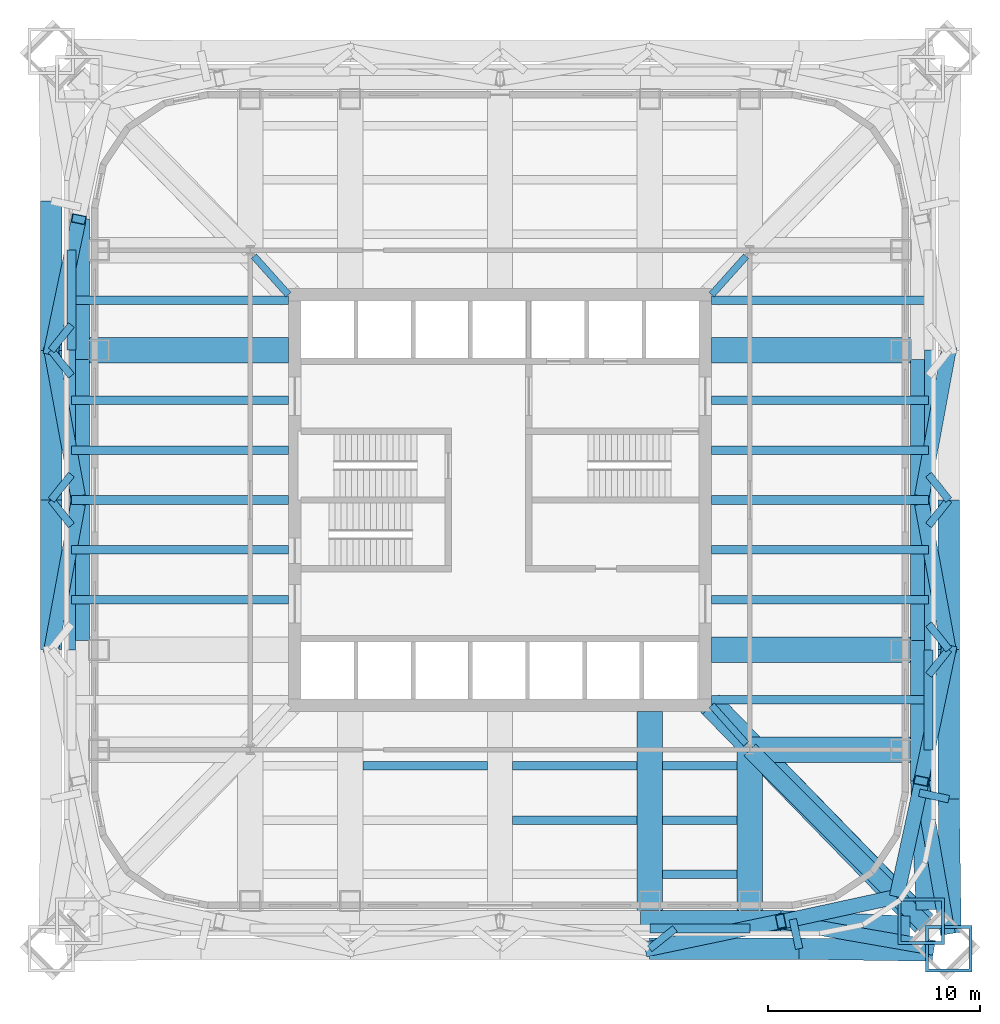
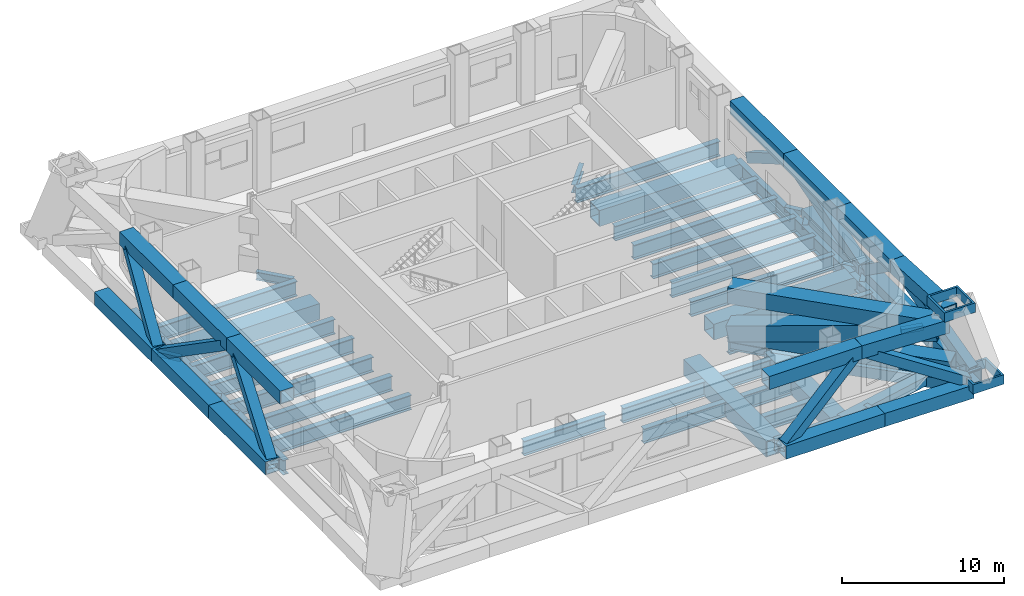
# One storey, part 2 of 9: 66 beams, 12 members.
"""IFC4 building model written with IfcOpenShell, lengths in metres."""

import ifcopenshell
import ifcopenshell.guid

model = None  # the IFC model being written
_history = None  # IfcOwnerHistory: only IFC2X3 demands one
_inside = {}  # id of a spatial element -> (the spatial element, [elements in it])
_under = {}  # id of a project, library or spatial element -> (it, [spatial elements below it])
_declared = {}  # id of a project -> (the project, [libraries it declares])
_typed = {}  # id of a type object -> (the type object, [elements of that type])
_made_of = {}  # id of a material, layer set ... -> (it, [elements and type objects made of it])


def new_model(schema):
    """Start an empty IFC model of exactly this schema.

    Asked for "IFC4X3", IfcOpenShell would pick the latest addendum, in which some entities
    have other attributes; the version numbers below select the first issue.
    IFC2X3 requires an IfcOwnerHistory on every rooted entity: one is made here for all.
    """
    global model, _history
    if schema == "IFC4X3":
        model = ifcopenshell.file(schema_version=(4, 3, 0, 0))
    else:
        model = ifcopenshell.file(schema=schema)
    _inside.clear()
    _under.clear()
    _declared.clear()
    _typed.clear()
    _made_of.clear()
    _history = None
    if model.schema == "IFC2X3":
        org = make("IfcOrganization", Name="unknown")
        user = make(
            "IfcPersonAndOrganization",
            ThePerson=make("IfcPerson", FamilyName="unknown"),
            TheOrganization=org,
        )
        app = make(
            "IfcApplication",
            ApplicationDeveloper=org,
            Version="unknown",
            ApplicationFullName="unknown",
            ApplicationIdentifier="unknown",
        )
        _history = make(
            "IfcOwnerHistory",
            OwningUser=user,
            OwningApplication=app,
            ChangeAction="ADDED",
            CreationDate=0,
        )
    return model


def make(cls, **values):
    """One entity of the class cls with the attributes given. An attribute that is None is left unset."""
    return model.create_entity(
        cls, **{name: value for name, value in values.items() if value is not None}
    )


def rooted(cls, **values):
    """An entity with a GlobalId (a new one), such as an element, a storey or a relation."""
    return make(cls, GlobalId=ifcopenshell.guid.new(), OwnerHistory=_history, **values)


def si_unit(unit_type, name, prefix=None):
    """IfcSIUnit, for example si_unit("LENGTHUNIT", "METRE", prefix="MILLI")."""
    return make("IfcSIUnit", UnitType=unit_type, Prefix=prefix, Name=name)


def assignment(units):
    """IfcUnitAssignment: the units of a project."""
    return None if units is None else make("IfcUnitAssignment", Units=units)


def point(xyz):
    """IfcCartesianPoint."""
    return None if xyz is None else make("IfcCartesianPoint", Coordinates=xyz)


def direction(xyz):
    """IfcDirection."""
    return None if xyz is None else make("IfcDirection", DirectionRatios=xyz)


def frame(location, z_axis=None, x_axis=None):
    """IfcAxis2Placement3D, a coordinate frame: its origin and axes. An axis left out is left unset."""
    return make(
        "IfcAxis2Placement3D",
        Location=point(location),
        Axis=direction(z_axis),
        RefDirection=direction(x_axis),
    )


def frame_2d(location, x_axis=None):
    """IfcAxis2Placement2D, a coordinate frame in the plane: its origin and x axis."""
    return make(
        "IfcAxis2Placement2D", Location=point(location), RefDirection=direction(x_axis)
    )


def origin():
    """The frame at (0, 0, 0) with its axes left unset."""
    return frame((0.0, 0.0, 0.0))


def origin_2d():
    """The frame at (0, 0) in the plane with its x axis left unset."""
    return frame_2d((0.0, 0.0))


def place(relative_to, where):
    """IfcLocalPlacement: puts the frame where relative to a parent placement (None: the world)."""
    return make(
        "IfcLocalPlacement", PlacementRelTo=relative_to, RelativePlacement=where
    )


def context(
    kind, dimensions, precision=None, world=None, true_north=None, identifier=None
):
    """IfcGeometricRepresentationContext, for example the 3D "Model" context."""
    return make(
        "IfcGeometricRepresentationContext",
        ContextIdentifier=identifier,
        ContextType=kind,
        CoordinateSpaceDimension=dimensions,
        Precision=precision,
        WorldCoordinateSystem=world,
        TrueNorth=true_north,
    )


def subcontext(parent, identifier, kind, view, scale=None):
    """IfcGeometricRepresentationSubContext, for example "Body" below "Model"."""
    return make(
        "IfcGeometricRepresentationSubContext",
        ContextIdentifier=identifier,
        ContextType=kind,
        ParentContext=parent,
        TargetScale=scale,
        TargetView=view,
    )


def project(units=None, contexts=None):
    """IfcProject with its units and contexts."""
    return rooted(
        "IfcProject",
        Name="project",
        RepresentationContexts=contexts,
        UnitsInContext=assignment(units),
    )


def spatial(cls, under=None, at=None, **own):
    """A site, building, storey or space (cls), placed at a placement, below another one or the project."""
    s = rooted(cls, ObjectPlacement=at, **own)
    if under is not None:
        _under.setdefault(under.id(), (under, []))[1].append(s)
    return s


def profile(cls, at=None, kind="AREA", **sizes):
    """A parametric profile (cls). Its sizes go by their IFC names, for example OverallWidth=200.0."""
    return make(cls, ProfileType=kind, Position=at, **sizes)


def hollow_rectangle(**sizes):
    """IfcRectangleHollowProfileDef."""
    return profile("IfcRectangleHollowProfileDef", **sizes)


def i_section(**sizes):
    """IfcIShapeProfileDef."""
    return profile("IfcIShapeProfileDef", **sizes)


def extrude(swept, where, along, depth):
    """IfcExtrudedAreaSolid: the profile swept, set in the frame where, extruded along a direction by depth."""
    return make(
        "IfcExtrudedAreaSolid",
        SweptArea=swept,
        Position=where,
        ExtrudedDirection=direction(along),
        Depth=depth,
    )


def shape(context_of_items, identifier, shape_type, items):
    """IfcShapeRepresentation: the items that make up one representation, for example the "Body"."""
    return make(
        "IfcShapeRepresentation",
        ContextOfItems=context_of_items,
        RepresentationIdentifier=identifier,
        RepresentationType=shape_type,
        Items=items,
    )


def material(Name=None, Category=None):
    """IfcMaterial."""
    return make("IfcMaterial", Name=Name, Category=Category)


def material_profile(
    of_material, cross_section, Name=None, Category=None, Priority=None
):
    """IfcMaterialProfile: a cross section and its material."""
    return make(
        "IfcMaterialProfile",
        Name=Name,
        Material=of_material,
        Profile=cross_section,
        Priority=Priority,
        Category=Category,
    )


def profile_set(profiles, Name=None, composite=None):
    """IfcMaterialProfileSet."""
    return make(
        "IfcMaterialProfileSet",
        Name=Name,
        MaterialProfiles=profiles,
        CompositeProfile=composite,
    )


def made_of(thing, what):
    """Note that an element or type object is made of a material, layer set ...; save() writes the relation."""
    if what is not None:
        _made_of.setdefault(what.id(), (what, []))[1].append(thing)
    return thing


def type_object(cls, material=None, **own):
    """A type object (cls), such as IfcWallType, which elements share."""
    return made_of(rooted(cls, **own), material)


def element(
    cls,
    number,
    at=None,
    inside=None,
    cuts=None,
    type_object=None,
    material=None,
    context=None,
    identifier="Body",
    shape_type=None,
    held_by="IfcProductDefinitionShape",
    body=None,
    shapes=None,
    **own,
):
    """One element of the class cls, such as IfcWall. Its Tag is "e" and its number.

    at: its placement. inside: the storey or other place that contains it. cuts: it is an
    opening in that element (IfcRelVoidsElement). A single representation is given by context,
    identifier, shape_type and body (its items); several are given by shapes. held_by: the class
    of the entity that holds the representations. save() writes the other relations.
    """
    e = rooted(cls, Tag="e%d" % number, ObjectPlacement=at, **own)
    if body is not None:
        shapes = [shape(context, identifier, shape_type, body)]
    if shapes is not None:
        e.Representation = make(held_by, Representations=shapes)
    if inside is not None:
        _inside.setdefault(inside.id(), (inside, []))[1].append(e)
    if cuts is not None:
        rooted(
            "IfcRelVoidsElement", RelatingBuildingElement=cuts, RelatedOpeningElement=e
        )
    if type_object is not None:
        _typed.setdefault(type_object.id(), (type_object, []))[1].append(e)
    return made_of(e, material)


def aggregate(whole, parts):
    """IfcRelAggregates: a whole, such as a stair, and the parts it consists of."""
    return rooted("IfcRelAggregates", RelatingObject=whole, RelatedObjects=parts)


def save(model, path):
    """Write the relations noted so far, then the file.

    IfcRelAggregates (storeys below a building ...), IfcRelContainedInSpatialStructure (elements
    in a storey), IfcRelDefinesByType, IfcRelAssociatesMaterial and IfcRelDeclares: one each for
    every whole, place, type object, material and project.
    """
    for whole, parts in _under.values():
        aggregate(whole, parts)
    for where, things in _inside.values():
        rooted(
            "IfcRelContainedInSpatialStructure",
            RelatedElements=things,
            RelatingStructure=where,
        )
    for kind, things in _typed.values():
        rooted("IfcRelDefinesByType", RelatedObjects=things, RelatingType=kind)
    for what, things in _made_of.values():
        rooted("IfcRelAssociatesMaterial", RelatedObjects=things, RelatingMaterial=what)
    for by, libraries in _declared.values():
        rooted("IfcRelDeclares", RelatingContext=by, RelatedDefinitions=libraries)
    model.write(path)


model = new_model("IFC4")

# Units and contexts
model_context = context("Model", 3, precision=1e-05, world=origin(), true_north=direction((0.0, 1.0)))
body_context = subcontext(model_context, "Body", "Model", "MODEL_VIEW")
ifc_project = project(units=[si_unit("LENGTHUNIT", "METRE"), si_unit("AREAUNIT", "SQUARE_METRE"), si_unit("VOLUMEUNIT", "CUBIC_METRE"), si_unit("PLANEANGLEUNIT", "RADIAN"), si_unit("MASSUNIT", "GRAM", prefix="KILO")], contexts=[model_context])

# Site, building, storey
site_placement = place(None, origin())
site = spatial("IfcSite", under=ifc_project, at=site_placement, CompositionType="ELEMENT")
building_placement = place(site_placement, origin())
building = spatial("IfcBuilding", under=site, at=building_placement, Name="Turquesa Mirador Hotel Tower", CompositionType="ELEMENT")
storey_placement = place(building_placement, frame((0.0, 0.0, 156.39990234375)))
storey = spatial("IfcBuildingStorey", under=building, at=storey_placement, Name="L42", CompositionType="ELEMENT", Elevation=156.39990234375)

# Beams
ifc_material_1 = material(Name="Steel ASTM A572 Grade 50", Category="steel")
ifc_material_profile_1 = material_profile(ifc_material_1, hollow_rectangle(XDim=1.199951171875, YDim=1.199951171875, WallThickness=0.06005859375, at=origin_2d()), Name="BOX1200X1200X60")
ifc_profile_set_1 = profile_set([ifc_material_profile_1], Name="Steel ASTM A572 Grade 50")
beam_type_1 = type_object("IfcBeamType", Name="BEAM BOX1200X1200X60", PredefinedType="BEAM", material=ifc_profile_set_1)
beam_1_placement = place(storey_placement, frame((62.080078125, 24.75, -0.849853515625), z_axis=(0.0, 1.0, 0.0), x_axis=(-1.0, 0.0, 0.0)))
element("IfcBeam", 1, at=beam_1_placement, inside=storey, type_object=beam_type_1, Name="GD-L42-S-+7.08", PredefinedType="BEAM", context=body_context, shape_type="SweptSolid", body=[
    extrude(hollow_rectangle(XDim=1.199951171875, YDim=1.199951171875, WallThickness=0.06005859375, at=origin_2d()), origin(), (0.0, 0.0, 1.0), 10.25),
])
beam_2_placement = place(storey_placement, frame((66.800048828125, 24.75, -0.849853515625), z_axis=(0.0, 1.0, 0.0), x_axis=(-1.0, 0.0, 0.0)))
element("IfcBeam", 2, at=beam_2_placement, inside=storey, type_object=beam_type_1, Name="GK-L42-S-+11.80", PredefinedType="BEAM", context=body_context, shape_type="SweptSolid", body=[
    extrude(hollow_rectangle(XDim=1.199951171875, YDim=1.199951171875, WallThickness=0.06005859375, at=origin_2d()), origin(), (0.0, 0.0, 1.0), 8.449951171875),
])
for number, where, z_axis, x_axis, name in (
    (3, (75.25, 37.919921875, -0.849853515625), (-1.0, 0.0, 0.0), (0.0, -1.0, 0.0), "GD-L42-E--7.08"),
    (4, (75.25, 52.080078125, -0.849853515625), (-1.0, 0.0, 0.0), (0.0, -1.0, 0.0), "GD-L42-E-+7.08"),
):
    element("IfcBeam", number, at=place(storey_placement, frame(where, z_axis=z_axis, x_axis=x_axis)), inside=storey, type_object=beam_type_1, Name=name, PredefinedType="BEAM", context=body_context, shape_type="SweptSolid", body=[
        extrude(hollow_rectangle(XDim=1.199951171875, YDim=1.199951171875, WallThickness=0.06005859375, at=origin_2d()), origin(), (0.0, 0.0, 1.0), 10.25),
    ])
beam_3_placement = place(storey_placement, frame((75.25, 33.199951171875, -0.849853515625), z_axis=(-1.0, 0.0, 0.0), x_axis=(0.0, -1.0, 0.0)))
element("IfcBeam", 5, at=beam_3_placement, inside=storey, type_object=beam_type_1, Name="GK-L42-E--11.80", PredefinedType="BEAM", context=body_context, shape_type="SweptSolid", body=[
    extrude(hollow_rectangle(XDim=1.199951171875, YDim=1.199951171875, WallThickness=0.06005859375, at=origin_2d()), origin(), (0.0, 0.0, 1.0), 8.449951171875),
])
beam_4_placement = place(storey_placement, frame((34.75, 52.080078125, -0.849853515625), z_axis=(1.0, 0.0, 0.0), x_axis=(0.0, 1.0, 0.0)))
element("IfcBeam", 6, at=beam_4_placement, inside=storey, type_object=beam_type_1, Name="GD-L42-W-+7.08", PredefinedType="BEAM", context=body_context, shape_type="SweptSolid", body=[
    extrude(hollow_rectangle(XDim=1.199951171875, YDim=1.199951171875, WallThickness=0.06005859375, at=origin_2d()), origin(), (0.0, 0.0, 1.0), 10.25),
])
ifc_material_2 = material(Name="Steel ASTM A572 Grade 50", Category="steel")
ifc_material_profile_2 = material_profile(ifc_material_2, hollow_rectangle(XDim=0.699951171875, YDim=0.699951171875, WallThickness=0.044921875, at=origin_2d()), Name="BOX700X700X45")
ifc_profile_set_2 = profile_set([ifc_material_profile_2], Name="Steel ASTM A572 Grade 50")
beam_type_2 = type_object("IfcBeamType", Name="BEAM BOX700X700X45", PredefinedType="BEAM", material=ifc_profile_set_2)
for number, where, z_axis, x_axis, name in (
    (7, (75.25, 33.199951171875, -0.599853515625), (-0.212328336885, -0.977198381781, 0.0), (0.977198381781, -0.212328336885, 0.0), "KE-L42-4-0"),
    (8, (73.74169921875, 26.25830078125, -0.599853515625), (-0.977198381781, -0.212328336885, 0.0), (0.212328336885, -0.977198381781, 0.0), "KE-L42-4-1"),
):
    element("IfcBeam", number, at=place(storey_placement, frame(where, z_axis=z_axis, x_axis=x_axis)), inside=storey, type_object=beam_type_2, Name=name, PredefinedType="BEAM", context=body_context, shape_type="SweptSolid", body=[
        extrude(hollow_rectangle(XDim=0.699951171875, YDim=0.699951171875, WallThickness=0.044921875, at=origin_2d()), origin(), (0.0, 0.0, 1.0), 7.103515625),
    ])
ifc_material_3 = material(Name="Steel ASTM A572 Grade 50", Category="steel")
ifc_material_profile_3 = material_profile(ifc_material_3, hollow_rectangle(XDim=0.800048828125, YDim=0.800048828125, WallThickness=0.050048828125, at=origin_2d()), Name="BOX800X800X50")
ifc_profile_set_3 = profile_set([ifc_material_profile_3], Name="Steel ASTM A572 Grade 50")
beam_type_3 = type_object("IfcBeamType", Name="BEAM BOX800X800X50", PredefinedType="BEAM", material=ifc_profile_set_3)
beam_5_placement = place(storey_placement, frame((66.800048828125, 33.199951171875, -0.64990234375), z_axis=(0.707106781187, -0.707106781187, 0.0), x_axis=(0.707106781187, 0.707106781187, 0.0)))
element("IfcBeam", 9, at=beam_5_placement, inside=storey, type_object=beam_type_3, Name="KD-L42-4", PredefinedType="BEAM", context=body_context, shape_type="SweptSolid", body=[
    extrude(hollow_rectangle(XDim=0.800048828125, YDim=0.800048828125, WallThickness=0.050048828125, at=origin_2d()), origin(), (0.0, 0.0, 1.0), 11.80859375),
])
ifc_material_4 = material(Name="Steel ASTM A992 Grade 50", Category="steel")
ifc_material_profile_4 = material_profile(ifc_material_4, i_section(OverallWidth=0.3251953125, OverallDepth=0.612060546875, WebThickness=0.0126953125, FlangeThickness=0.01904296875, at=origin_2d()), Name="W24X104")
ifc_profile_set_4 = profile_set([ifc_material_profile_4], Name="Steel ASTM A992 Grade 50")
beam_type_4 = type_object("IfcBeamType", Name="BEAM W24X104", PredefinedType="BEAM", material=ifc_profile_set_4)
for number, where, z_axis, x_axis, name in (
    (10, (66.626953125, 56.518310546875, -0.555908203125), (-0.66679485947, -0.745241313525, 0.0), (0.745241313525, -0.66679485947, 0.0), "KT-L42-1"),
    (11, (43.373046875, 56.518310546875, -0.555908203125), (0.66679485947, -0.745241313525, 0.0), (0.745241313525, 0.66679485947, 0.0), "KT-L42-2"),
    (12, (66.626953125, 33.481689453125, -0.555908203125), (-0.66679485947, 0.745241313525, 0.0), (-0.745241313525, -0.66679485947, 0.0), "KT-L42-4"),
):
    element("IfcBeam", number, at=place(storey_placement, frame(where, z_axis=z_axis, x_axis=x_axis)), inside=storey, type_object=beam_type_4, Name=name, PredefinedType="BEAM", context=body_context, shape_type="SweptSolid", body=[
        extrude(i_section(OverallWidth=0.3251953125, OverallDepth=0.612060546875, WebThickness=0.0126953125, FlangeThickness=0.01904296875, at=origin_2d()), origin(), (0.0, 0.0, 1.0), 2.43994140625),
    ])
ifc_material_5 = material(Name="Steel ASTM A992 Grade 50", Category="steel")
ifc_material_profile_5 = material_profile(ifc_material_5, i_section(OverallWidth=0.419189453125, OverallDepth=0.927001953125, WebThickness=0.019287109375, FlangeThickness=0.031982421875, at=origin_2d()), Name="W36X231")
ifc_profile_set_5 = profile_set([ifc_material_profile_5], Name="Steel ASTM A992 Grade 50")
beam_type_5 = type_object("IfcBeamType", Name="BEAM W36X231", PredefinedType="BEAM", material=ifc_profile_set_5)
for number, where, z_axis, x_axis, name in (
    (13, (62.080078125, 24.75, -0.71337890625), (1.0, 0.0, 0.0), (0.0, 1.0, 0.0), "EB-L42-S-R"),
    (14, (75.25, 33.199951171875, -0.71337890625), (0.0, 1.0, 0.0), (-1.0, 0.0, 0.0), "EB-L42-E-L"),
    (15, (34.75, 52.080078125, -0.71337890625), (0.0, 1.0, 0.0), (-1.0, 0.0, 0.0), "EB-L42-W-R"),
):
    element("IfcBeam", number, at=place(storey_placement, frame(where, z_axis=z_axis, x_axis=x_axis)), inside=storey, type_object=beam_type_5, Name=name, PredefinedType="BEAM", context=body_context, shape_type="SweptSolid", body=[
        extrude(i_section(OverallWidth=0.419189453125, OverallDepth=0.927001953125, WebThickness=0.019287109375, FlangeThickness=0.031982421875, at=origin_2d()), origin(), (0.0, 0.0, 1.0), 4.719970703125),
    ])
ifc_material_6 = material(Name="Steel ASTM A992 Grade 50", Category="steel")
ifc_material_profile_6 = material_profile(ifc_material_6, i_section(OverallWidth=0.40380859375, OverallDepth=1.11767578125, WebThickness=0.026123046875, FlangeThickness=0.044921875, at=origin_2d()), Name="W44X335")
ifc_profile_set_6 = profile_set([ifc_material_profile_6], Name="Steel ASTM A992 Grade 50")
beam_type_6 = type_object("IfcBeamType", Name="BEAM W44X335", PredefinedType="BEAM", material=ifc_profile_set_6)
for number, where, z_axis, x_axis, name in (
    (16, (48.52001953125, 32.43798828125, -0.80859375), (1.0, 0.0, 0.0), (0.0, 1.0, 0.0), "IB-L42-S-1-1"),
    (17, (55.60009765625, 32.43798828125, -0.80859375), (1.0, 0.0, 0.0), (0.0, 1.0, 0.0), "IB-L42-S-1-2"),
):
    element("IfcBeam", number, at=place(storey_placement, frame(where, z_axis=z_axis, x_axis=x_axis)), inside=storey, type_object=beam_type_6, Name=name, PredefinedType="BEAM", context=body_context, shape_type="SweptSolid", body=[
        extrude(i_section(OverallWidth=0.40380859375, OverallDepth=1.11767578125, WebThickness=0.026123046875, FlangeThickness=0.044921875, at=origin_2d()), origin(), (0.0, 0.0, 1.0), 5.8798828125),
    ])
beam_6_placement = place(storey_placement, frame((62.679931640625, 32.43798828125, -0.80859375), z_axis=(1.0, 0.0, 0.0), x_axis=(0.0, 1.0, 0.0)))
element("IfcBeam", 18, at=beam_6_placement, inside=storey, type_object=beam_type_6, Name="IB-L42-S-1-3", PredefinedType="BEAM", context=body_context, shape_type="SweptSolid", body=[
    extrude(i_section(OverallWidth=0.40380859375, OverallDepth=1.11767578125, WebThickness=0.026123046875, FlangeThickness=0.044921875, at=origin_2d()), origin(), (0.0, 0.0, 1.0), 3.52001953125),
])
beam_7_placement = place(storey_placement, frame((55.60009765625, 29.875, -0.80859375), z_axis=(1.0, 0.0, 0.0), x_axis=(0.0, 1.0, 0.0)))
element("IfcBeam", 19, at=beam_7_placement, inside=storey, type_object=beam_type_6, Name="IB-L42-S-2-2", PredefinedType="BEAM", context=body_context, shape_type="SweptSolid", body=[
    extrude(i_section(OverallWidth=0.40380859375, OverallDepth=1.11767578125, WebThickness=0.026123046875, FlangeThickness=0.044921875, at=origin_2d()), origin(), (0.0, 0.0, 1.0), 5.8798828125),
])
for number, where, z_axis, x_axis, name in (
    (20, (62.679931640625, 29.875, -0.80859375), (1.0, 0.0, 0.0), (0.0, 1.0, 0.0), "IB-L42-S-2-3"),
    (21, (62.679931640625, 27.31201171875, -0.80859375), (1.0, 0.0, 0.0), (0.0, 1.0, 0.0), "IB-L42-S-3-3"),
):
    element("IfcBeam", number, at=place(storey_placement, frame(where, z_axis=z_axis, x_axis=x_axis)), inside=storey, type_object=beam_type_6, Name=name, PredefinedType="BEAM", context=body_context, shape_type="SweptSolid", body=[
        extrude(i_section(OverallWidth=0.40380859375, OverallDepth=1.11767578125, WebThickness=0.026123046875, FlangeThickness=0.044921875, at=origin_2d()), origin(), (0.0, 0.0, 1.0), 3.52001953125),
    ])
for number, where, z_axis, x_axis, name in (
    (22, (75.25, 35.56005859375, -0.80859375), (-1.0, 0.0, 0.0), (0.0, -1.0, 0.0), "BM-L42-E--9.44"),
    (23, (75.25, 40.280029296875, -0.80859375), (-1.0, 0.0, 0.0), (0.0, -1.0, 0.0), "BM-L42-E--4.72"),
    (24, (75.25, 42.639892578125, -0.80859375), (-1.0, 0.0, 0.0), (0.0, -1.0, 0.0), "BM-L42-E--2.36"),
    (25, (75.25, 45.0, -0.80859375), (-1.0, 0.0, 0.0), (0.0, -1.0, 0.0), "BM-L42-E-+0.00"),
    (26, (75.25, 47.360107421875, -0.80859375), (-1.0, 0.0, 0.0), (0.0, -1.0, 0.0), "BM-L42-E-+2.36"),
    (27, (75.25, 49.719970703125, -0.80859375), (-1.0, 0.0, 0.0), (0.0, -1.0, 0.0), "BM-L42-E-+4.72"),
    (28, (75.25, 54.43994140625, -0.80859375), (-1.0, 0.0, 0.0), (0.0, -1.0, 0.0), "BM-L42-E-+9.44"),
):
    element("IfcBeam", number, at=place(storey_placement, frame(where, z_axis=z_axis, x_axis=x_axis)), inside=storey, type_object=beam_type_6, Name=name, PredefinedType="BEAM", context=body_context, shape_type="SweptSolid", body=[
        extrude(i_section(OverallWidth=0.40380859375, OverallDepth=1.11767578125, WebThickness=0.026123046875, FlangeThickness=0.044921875, at=origin_2d()), origin(), (0.0, 0.0, 1.0), 10.25),
    ])
beam_8_placement = place(storey_placement, frame((75.25, 37.919921875, -0.80859375), z_axis=(0.0, 1.0, 0.0), x_axis=(-1.0, 0.0, 0.0)))
element("IfcBeam", 29, at=beam_8_placement, inside=storey, type_object=beam_type_6, Name="EB-L42-E-C", PredefinedType="BEAM", context=body_context, shape_type="SweptSolid", body=[
    extrude(i_section(OverallWidth=0.40380859375, OverallDepth=1.11767578125, WebThickness=0.026123046875, FlangeThickness=0.044921875, at=origin_2d()), origin(), (0.0, 0.0, 1.0), 14.16015625),
])
for number, where, z_axis, x_axis, name in (
    (30, (34.75, 40.280029296875, -0.80859375), (1.0, 0.0, 0.0), (0.0, 1.0, 0.0), "BM-L42-W--4.72"),
    (31, (34.75, 42.639892578125, -0.80859375), (1.0, 0.0, 0.0), (0.0, 1.0, 0.0), "BM-L42-W--2.36"),
    (32, (34.75, 45.0, -0.80859375), (1.0, 0.0, 0.0), (0.0, 1.0, 0.0), "BM-L42-W-+0.00"),
    (33, (34.75, 47.360107421875, -0.80859375), (1.0, 0.0, 0.0), (0.0, 1.0, 0.0), "BM-L42-W-+2.36"),
    (34, (34.75, 49.719970703125, -0.80859375), (1.0, 0.0, 0.0), (0.0, 1.0, 0.0), "BM-L42-W-+4.72"),
    (35, (34.75, 54.43994140625, -0.80859375), (1.0, 0.0, 0.0), (0.0, 1.0, 0.0), "BM-L42-W-+9.44"),
):
    element("IfcBeam", number, at=place(storey_placement, frame(where, z_axis=z_axis, x_axis=x_axis)), inside=storey, type_object=beam_type_6, Name=name, PredefinedType="BEAM", context=body_context, shape_type="SweptSolid", body=[
        extrude(i_section(OverallWidth=0.40380859375, OverallDepth=1.11767578125, WebThickness=0.026123046875, FlangeThickness=0.044921875, at=origin_2d()), origin(), (0.0, 0.0, 1.0), 10.25),
    ])
beam_9_placement = place(storey_placement, frame((34.75, 37.919921875, -0.80859375), z_axis=(0.0, 1.0, 0.0), x_axis=(-1.0, 0.0, 0.0)))
element("IfcBeam", 36, at=beam_9_placement, inside=storey, type_object=beam_type_6, Name="EB-L42-W-C", PredefinedType="BEAM", context=body_context, shape_type="SweptSolid", body=[
    extrude(i_section(OverallWidth=0.40380859375, OverallDepth=1.11767578125, WebThickness=0.026123046875, FlangeThickness=0.044921875, at=origin_2d()), origin(), (0.0, 0.0, 1.0), 14.16015625),
])
ifc_material_7 = material(Name="Steel ASTM A572 Grade 50", Category="steel")
ifc_material_profile_7 = material_profile(ifc_material_7, hollow_rectangle(XDim=1.0, YDim=1.0, WallThickness=0.06005859375, at=origin_2d()), Name="BOX1000X1000X60")
ifc_profile_set_7 = profile_set([ifc_material_profile_7], Name="Steel ASTM A572 Grade 50")
beam_type_7 = type_object("IfcBeamType", Name="BELT TRUSS CHORD BOX1000X1000X60", PredefinedType="BEAM", material=ifc_profile_set_7)
beam_10_placement = place(storey_placement, frame((62.066650390625, 23.800048828125, -0.427734375), z_axis=(1.0, 0.0, 0.0), x_axis=(0.0, 1.0, 0.0)))
element("IfcBeam", 37, at=beam_10_placement, inside=storey, type_object=beam_type_7, Name="Belt truss bottom chord S", PredefinedType="BEAM", context=body_context, shape_type="SweptSolid", body=[
    extrude(hollow_rectangle(XDim=1.0, YDim=1.0, WallThickness=0.06005859375, at=origin_2d()), origin(), (0.0, 0.0, 1.0), 7.066650390625),
])
beam_11_placement = place(storey_placement, frame((61.63330078125, 25.10009765625, 4.2001953125), z_axis=(1.0, 0.0, 0.0), x_axis=(0.0, 1.0, 0.0)))
element("IfcBeam", 38, at=beam_11_placement, inside=storey, type_object=beam_type_7, Name="Belt truss top chord S", PredefinedType="BEAM", context=body_context, shape_type="SweptSolid", body=[
    extrude(hollow_rectangle(XDim=1.0, YDim=1.0, WallThickness=0.06005859375, at=origin_2d()), origin(), (0.0, 0.0, 1.0), 6.63330078125),
])
beam_12_placement = place(storey_placement, frame((69.13330078125, 23.800048828125, -0.427734375), z_axis=(0.999896969728, -0.014354439336, 0.0), x_axis=(0.014354439336, 0.999896969728, 0.0)))
element("IfcBeam", 39, at=beam_12_placement, inside=storey, type_object=beam_type_7, Name="Belt truss bottom chord S", PredefinedType="BEAM", context=body_context, shape_type="SweptSolid", body=[
    extrude(hollow_rectangle(XDim=1.0, YDim=1.0, WallThickness=0.06005859375, at=origin_2d()), origin(), (0.0, 0.0, 1.0), 6.31005859375),
])
beam_13_placement = place(storey_placement, frame((68.2666015625, 25.10009765625, 4.2001953125), z_axis=(0.999129112797, -0.041725483369, 0.0), x_axis=(0.041725483369, 0.999129112797, 0.0)))
element("IfcBeam", 40, at=beam_13_placement, inside=storey, type_object=beam_type_7, Name="Belt truss top chord S", PredefinedType="BEAM", context=body_context, shape_type="SweptSolid", body=[
    extrude(hollow_rectangle(XDim=1.0, YDim=1.0, WallThickness=0.06005859375, at=origin_2d()), origin(), (0.0, 0.0, 1.0), 6.096923828125),
])
beam_14_placement = place(storey_placement, frame((76.29052734375, 24.557373046875, -0.427734375), z_axis=(-0.014354439336, 0.999896969728, 0.0), x_axis=(-0.999896969728, -0.014354439336, 0.0)))
element("IfcBeam", 41, at=beam_14_placement, inside=storey, type_object=beam_type_7, Name="Belt truss bottom chord E", PredefinedType="BEAM", context=body_context, shape_type="SweptSolid", body=[
    extrude(hollow_rectangle(XDim=1.0, YDim=1.0, WallThickness=0.06005859375, at=origin_2d()), origin(), (0.0, 0.0, 1.0), 6.31005859375),
])
beam_15_placement = place(storey_placement, frame((75.154296875, 25.641845703125, 4.2001953125), z_axis=(-0.041725483369, 0.999129112797, 0.0), x_axis=(-0.999129112797, -0.041725483369, 0.0)))
element("IfcBeam", 42, at=beam_15_placement, inside=storey, type_object=beam_type_7, Name="Belt truss top chord E", PredefinedType="BEAM", context=body_context, shape_type="SweptSolid", body=[
    extrude(hollow_rectangle(XDim=1.0, YDim=1.0, WallThickness=0.06005859375, at=origin_2d()), origin(), (0.0, 0.0, 1.0), 6.096923828125),
])
beam_16_placement = place(storey_placement, frame((76.199951171875, 30.86669921875, -0.427734375), z_axis=(0.0, 1.0, 0.0), x_axis=(-1.0, 0.0, 0.0)))
element("IfcBeam", 43, at=beam_16_placement, inside=storey, type_object=beam_type_7, Name="Belt truss bottom chord E", PredefinedType="BEAM", context=body_context, shape_type="SweptSolid", body=[
    extrude(hollow_rectangle(XDim=1.0, YDim=1.0, WallThickness=0.06005859375, at=origin_2d()), origin(), (0.0, 0.0, 1.0), 7.066650390625),
])
beam_17_placement = place(storey_placement, frame((74.89990234375, 31.7333984375, 4.2001953125), z_axis=(0.0, 1.0, 0.0), x_axis=(-1.0, 0.0, 0.0)))
element("IfcBeam", 44, at=beam_17_placement, inside=storey, type_object=beam_type_7, Name="Belt truss top chord E", PredefinedType="BEAM", context=body_context, shape_type="SweptSolid", body=[
    extrude(hollow_rectangle(XDim=1.0, YDim=1.0, WallThickness=0.06005859375, at=origin_2d()), origin(), (0.0, 0.0, 1.0), 6.63330078125),
])
beam_18_placement = place(storey_placement, frame((76.199951171875, 37.933349609375, -0.427734375), z_axis=(0.0, 1.0, 0.0), x_axis=(-1.0, 0.0, 0.0)))
element("IfcBeam", 45, at=beam_18_placement, inside=storey, type_object=beam_type_7, Name="Belt truss bottom chord E", PredefinedType="BEAM", context=body_context, shape_type="SweptSolid", body=[
    extrude(hollow_rectangle(XDim=1.0, YDim=1.0, WallThickness=0.06005859375, at=origin_2d()), origin(), (0.0, 0.0, 1.0), 7.066650390625),
])
for number, where, z_axis, x_axis, name in (
    (46, (74.89990234375, 38.36669921875, 4.2001953125), (0.0, 1.0, 0.0), (-1.0, 0.0, 0.0), "Belt truss top chord E"),
    (47, (74.89990234375, 45.0, 4.2001953125), (0.0, 1.0, 0.0), (-1.0, 0.0, 0.0), "Belt truss top chord E"),
):
    element("IfcBeam", number, at=place(storey_placement, frame(where, z_axis=z_axis, x_axis=x_axis)), inside=storey, type_object=beam_type_7, Name=name, PredefinedType="BEAM", context=body_context, shape_type="SweptSolid", body=[
        extrude(hollow_rectangle(XDim=1.0, YDim=1.0, WallThickness=0.06005859375, at=origin_2d()), origin(), (0.0, 0.0, 1.0), 6.63330078125),
    ])
beam_19_placement = place(storey_placement, frame((33.800048828125, 37.933349609375, -0.427734375), z_axis=(0.0, 1.0, 0.0), x_axis=(-1.0, 0.0, 0.0)))
element("IfcBeam", 48, at=beam_19_placement, inside=storey, type_object=beam_type_7, Name="Belt truss bottom chord W", PredefinedType="BEAM", context=body_context, shape_type="SweptSolid", body=[
    extrude(hollow_rectangle(XDim=1.0, YDim=1.0, WallThickness=0.06005859375, at=origin_2d()), origin(), (0.0, 0.0, 1.0), 7.066650390625),
])
beam_20_placement = place(storey_placement, frame((35.10009765625, 38.36669921875, 4.2001953125), z_axis=(0.0, 1.0, 0.0), x_axis=(-1.0, 0.0, 0.0)))
element("IfcBeam", 49, at=beam_20_placement, inside=storey, type_object=beam_type_7, Name="Belt truss top chord W", PredefinedType="BEAM", context=body_context, shape_type="SweptSolid", body=[
    extrude(hollow_rectangle(XDim=1.0, YDim=1.0, WallThickness=0.06005859375, at=origin_2d()), origin(), (0.0, 0.0, 1.0), 6.63330078125),
])
beam_21_placement = place(storey_placement, frame((33.800048828125, 45.0, -0.427734375), z_axis=(0.0, 1.0, 0.0), x_axis=(-1.0, 0.0, 0.0)))
element("IfcBeam", 50, at=beam_21_placement, inside=storey, type_object=beam_type_7, Name="Belt truss bottom chord W", PredefinedType="BEAM", context=body_context, shape_type="SweptSolid", body=[
    extrude(hollow_rectangle(XDim=1.0, YDim=1.0, WallThickness=0.06005859375, at=origin_2d()), origin(), (0.0, 0.0, 1.0), 7.066650390625),
])
beam_22_placement = place(storey_placement, frame((35.10009765625, 45.0, 4.2001953125), z_axis=(0.0, 1.0, 0.0), x_axis=(-1.0, 0.0, 0.0)))
element("IfcBeam", 51, at=beam_22_placement, inside=storey, type_object=beam_type_7, Name="Belt truss top chord W", PredefinedType="BEAM", context=body_context, shape_type="SweptSolid", body=[
    extrude(hollow_rectangle(XDim=1.0, YDim=1.0, WallThickness=0.06005859375, at=origin_2d()), origin(), (0.0, 0.0, 1.0), 6.63330078125),
])
beam_23_placement = place(storey_placement, frame((33.800048828125, 52.066650390625, -0.427734375), z_axis=(0.0, 1.0, 0.0), x_axis=(-1.0, 0.0, 0.0)))
element("IfcBeam", 52, at=beam_23_placement, inside=storey, type_object=beam_type_7, Name="Belt truss bottom chord W", PredefinedType="BEAM", context=body_context, shape_type="SweptSolid", body=[
    extrude(hollow_rectangle(XDim=1.0, YDim=1.0, WallThickness=0.06005859375, at=origin_2d()), origin(), (0.0, 0.0, 1.0), 7.066650390625),
])
beam_24_placement = place(storey_placement, frame((35.10009765625, 51.63330078125, 4.2001953125), z_axis=(0.0, 1.0, 0.0), x_axis=(-1.0, 0.0, 0.0)))
element("IfcBeam", 53, at=beam_24_placement, inside=storey, type_object=beam_type_7, Name="Belt truss top chord W", PredefinedType="BEAM", context=body_context, shape_type="SweptSolid", body=[
    extrude(hollow_rectangle(XDim=1.0, YDim=1.0, WallThickness=0.06005859375, at=origin_2d()), origin(), (0.0, 0.0, 1.0), 6.63330078125),
])

# Members
ifc_material_8 = material(Name="Steel ASTM A572 Grade 50", Category="steel")
ifc_material_profile_8 = material_profile(ifc_material_8, hollow_rectangle(XDim=0.699951171875, YDim=0.699951171875, WallThickness=0.044921875, at=origin_2d()), Name="BOX700X700X45")
ifc_profile_set_8 = profile_set([ifc_material_profile_8], Name="Steel ASTM A572 Grade 50")
member_type_1 = type_object("IfcMemberType", Name="BELT TRUSS DIAGONAL BOX700X700X45", PredefinedType="BRACE", material=ifc_profile_set_8)
member_1_placement = place(storey_placement, frame((62.066650390625, 23.800048828125, -0.427734375), z_axis=(0.790285340861, 0.165712519791, 0.589905450733), x_axis=(-0.205223775736, 0.978715076962, 0.0)))
element("IfcMember", 54, at=member_1_placement, inside=storey, type_object=member_type_1, Name="Belt truss diagonal S", PredefinedType="BRACE", context=body_context, shape_type="SweptSolid", body=[
    extrude(hollow_rectangle(XDim=0.699951171875, YDim=0.699951171875, WallThickness=0.044921875, at=origin_2d()), origin(), (0.0, 0.0, 1.0), 7.84521484375),
])
for number, where, z_axis, x_axis, name in (
    (55, (68.2666015625, 25.10009765625, 4.2001953125), (0.856833315101, -0.149584219093, -0.493417907591), (0.171976927021, 0.985100977856, 0.0), "Belt truss diagonal S"),
    (56, (76.134521484375, 24.661376953125, 0.127685546875), (-0.149584219093, 0.856833315101, 0.493417907591), (-0.985100977856, -0.171976927021, 0.0), "Belt truss diagonal E"),
):
    element("IfcMember", number, at=place(storey_placement, frame(where, z_axis=z_axis, x_axis=x_axis)), inside=storey, type_object=member_type_1, Name=name, PredefinedType="BRACE", context=body_context, shape_type="SweptSolid", body=[
        extrude(hollow_rectangle(XDim=0.699951171875, YDim=0.699951171875, WallThickness=0.044921875, at=origin_2d()), origin(), (0.0, 0.0, 1.0), 8.253662109375),
    ])
member_2_placement = place(storey_placement, frame((74.89990234375, 31.7333984375, 4.2001953125), z_axis=(0.165712519791, 0.790285340861, -0.589905450733), x_axis=(-0.978715076962, 0.205223775736, 0.0)))
element("IfcMember", 57, at=member_2_placement, inside=storey, type_object=member_type_1, Name="Belt truss diagonal E", PredefinedType="BRACE", context=body_context, shape_type="SweptSolid", body=[
    extrude(hollow_rectangle(XDim=0.699951171875, YDim=0.699951171875, WallThickness=0.044921875, at=origin_2d()), origin(), (0.0, 0.0, 1.0), 7.84521484375),
])
for number, where, z_axis, x_axis, name in (
    (58, (76.199951171875, 37.933349609375, -0.427734375), (-0.152111904836, 0.826831753144, 0.541489815602), (-0.98349537845, -0.180933248929, 0.0), "Belt truss diagonal E"),
    (59, (74.89990234375, 45.0, 4.2001953125), (0.152111904836, 0.826831753144, -0.541489815602), (-0.98349537845, 0.180933248929, 0.0), "Belt truss diagonal E"),
    (60, (33.800048828125, 37.933349609375, -0.427734375), (0.152111904836, 0.826831753144, 0.541489815602), (-0.98349537845, 0.180933248929, 0.0), "Belt truss diagonal W"),
    (61, (35.10009765625, 45.0, 4.2001953125), (-0.152111904836, 0.826831753144, -0.541489815602), (-0.98349537845, -0.180933248929, 0.0), "Belt truss diagonal W"),
):
    element("IfcMember", number, at=place(storey_placement, frame(where, z_axis=z_axis, x_axis=x_axis)), inside=storey, type_object=member_type_1, Name=name, PredefinedType="BRACE", context=body_context, shape_type="SweptSolid", body=[
        extrude(hollow_rectangle(XDim=0.699951171875, YDim=0.699951171875, WallThickness=0.044921875, at=origin_2d()), origin(), (0.0, 0.0, 1.0), 8.546630859375),
    ])
member_3_placement = place(storey_placement, frame((33.800048828125, 52.066650390625, -0.427734375), z_axis=(0.165712519791, 0.790285340861, 0.589905450733), x_axis=(-0.978715076962, 0.205223775736, 0.0)))
element("IfcMember", 62, at=member_3_placement, inside=storey, type_object=member_type_1, Name="Belt truss diagonal W", PredefinedType="BRACE", context=body_context, shape_type="SweptSolid", body=[
    extrude(hollow_rectangle(XDim=0.699951171875, YDim=0.699951171875, WallThickness=0.044921875, at=origin_2d()), origin(), (0.0, 0.0, 1.0), 7.84521484375),
])

# Beams
ifc_material_9 = material(Name="Steel ASTM A500 Grade C", Category="steel")
ifc_material_profile_9 = material_profile(ifc_material_9, hollow_rectangle(XDim=0.355712890625, YDim=0.355712890625, WallThickness=0.0146484375, at=origin_2d()), Name="HSS14X14X5/8")
ifc_profile_set_9 = profile_set([ifc_material_profile_9], Name="Steel ASTM A500 Grade C")
beam_type_8 = type_object("IfcBeamType", Name="BRACE STRUT HSS14X14X5/8", PredefinedType="BEAM", material=ifc_profile_set_9)
beam_25_placement = place(storey_placement, frame((62.066650390625, 23.800048828125, -0.427734375), z_axis=(0.784049059149, 0.620698858423, 0.0), x_axis=(-0.620698858423, 0.784049059149, 0.0)))
element("IfcBeam", 63, at=beam_25_placement, inside=storey, type_object=beam_type_8, Name="Brace strut", PredefinedType="BEAM", context=body_context, shape_type="SweptSolid", body=[
    extrude(hollow_rectangle(XDim=0.355712890625, YDim=0.355712890625, WallThickness=0.0146484375, at=origin_2d()), origin(), (0.0, 0.0, 1.0), 1.530517578125),
])
for number, where, z_axis, x_axis, name in (
    (64, (69.13330078125, 23.800048828125, -0.427734375), (-0.21228014704, 0.977208851358, 0.0), (-0.977208851358, -0.21228014704, 0.0), "Brace strut"),
    (65, (76.199951171875, 30.86669921875, -0.427734375), (-0.977208851358, 0.21228014704, 0.0), (-0.21228014704, -0.977208851358, 0.0), "Brace strut"),
):
    element("IfcBeam", number, at=place(storey_placement, frame(where, z_axis=z_axis, x_axis=x_axis)), inside=storey, type_object=beam_type_8, Name=name, PredefinedType="BEAM", context=body_context, shape_type="SweptSolid", body=[
        extrude(hollow_rectangle(XDim=0.355712890625, YDim=0.355712890625, WallThickness=0.0146484375, at=origin_2d()), origin(), (0.0, 0.0, 1.0), 1.423828125),
    ])
for number, where, z_axis, x_axis, name in (
    (66, (76.199951171875, 37.933349609375, -0.427734375), (-0.620698858423, -0.784049059149, 0.0), (0.784049059149, -0.620698858423, 0.0), "Brace strut"),
    (67, (76.199951171875, 37.933349609375, -0.427734375), (-0.620698858423, 0.784049059149, 0.0), (-0.784049059149, -0.620698858423, 0.0), "Brace strut"),
    (68, (76.199951171875, 45.0, -0.427734375), (-0.620698858423, -0.784049059149, 0.0), (0.784049059149, -0.620698858423, 0.0), "Brace strut"),
    (69, (76.199951171875, 45.0, -0.427734375), (-0.620698858423, 0.784049059149, 0.0), (-0.784049059149, -0.620698858423, 0.0), "Brace strut"),
    (70, (33.800048828125, 45.0, -0.427734375), (0.620698858423, -0.784049059149, 0.0), (0.784049059149, 0.620698858423, 0.0), "Brace strut"),
    (71, (33.800048828125, 45.0, -0.427734375), (0.620698858423, 0.784049059149, 0.0), (-0.784049059149, 0.620698858423, 0.0), "Brace strut"),
    (72, (33.800048828125, 52.066650390625, -0.427734375), (0.620698858423, -0.784049059149, 0.0), (0.784049059149, 0.620698858423, 0.0), "Brace strut"),
    (73, (33.800048828125, 52.066650390625, -0.427734375), (0.620698858423, 0.784049059149, 0.0), (-0.784049059149, 0.620698858423, 0.0), "Brace strut"),
):
    element("IfcBeam", number, at=place(storey_placement, frame(where, z_axis=z_axis, x_axis=x_axis)), inside=storey, type_object=beam_type_8, Name=name, PredefinedType="BEAM", context=body_context, shape_type="SweptSolid", body=[
        extrude(hollow_rectangle(XDim=0.355712890625, YDim=0.355712890625, WallThickness=0.0146484375, at=origin_2d()), origin(), (0.0, 0.0, 1.0), 1.530517578125),
    ])

# Members
ifc_material_10 = material(Name="Cast steel ASTM A958 Grade SC8620 Class 80/50", Category="steel")
ifc_material_profile_10 = material_profile(ifc_material_10, hollow_rectangle(XDim=2.199951171875, YDim=2.199951171875, WallThickness=0.14990234375, at=origin_2d()), Name="NODE2200X2200X150")
ifc_profile_set_10 = profile_set([ifc_material_profile_10], Name="Cast steel ASTM A958 Grade SC8620 Class 80/50")
member_type_2 = type_object("IfcMemberType", Name="MEGA COLUMN NODE NODE2200X2200X150", PredefinedType="USERDEFINED", material=ifc_profile_set_10)
for number, where, z_axis, x_axis, name in (
    (74, (76.199951171875, 23.800048828125, -0.20166015625), (0.0, 0.0, 1.0), (1.0, 0.0, 0.0), "Mega column node M4 base"),
    (75, (74.89990234375, 25.10009765625, 4.89013671875), (0.0, 0.0, 1.0), (1.0, 0.0, 0.0), "Mega column node M4 head"),
):
    element("IfcMember", number, at=place(storey_placement, frame(where, z_axis=z_axis, x_axis=x_axis)), inside=storey, type_object=member_type_2, Name=name, ObjectType="MEGA COLUMN NODE", PredefinedType="USERDEFINED", context=body_context, shape_type="SweptSolid", body=[
        extrude(hollow_rectangle(XDim=2.199951171875, YDim=2.199951171875, WallThickness=0.14990234375, at=origin_2d()), origin(), (0.0, 0.0, 1.0), 0.711669921875),
    ])

# Beams
ifc_material_11 = material(Name="Steel ASTM A572 Grade 50", Category="steel")
ifc_material_profile_11 = material_profile(ifc_material_11, hollow_rectangle(XDim=1.199951171875, YDim=1.199951171875, WallThickness=0.080078125, at=origin_2d()), Name="BOX1200X1200X80")
ifc_profile_set_11 = profile_set([ifc_material_profile_11], Name="Steel ASTM A572 Grade 50")
beam_type_9 = type_object("IfcBeamType", Name="OUTRIGGER CHORD BOX1200X1200X80", PredefinedType="BEAM", material=ifc_profile_set_11)
beam_26_placement = place(storey_placement, frame((65.0, 35.300048828125, 0.650146484375), z_axis=(0.697568930557, -0.716517680955, 0.0), x_axis=(0.716517680955, 0.697568930557, 0.0)))
element("IfcBeam", 76, at=beam_26_placement, inside=storey, type_object=beam_type_9, Name="Outrigger bottom chord 4", PredefinedType="BEAM", context=body_context, shape_type="SweptSolid", body=[
    extrude(hollow_rectangle(XDim=1.199951171875, YDim=1.199951171875, WallThickness=0.080078125, at=origin_2d()), origin(), (0.0, 0.0, 1.0), 14.365966796875),
])
beam_27_placement = place(storey_placement, frame((65.0, 35.300048828125, 3.550048828125), z_axis=(0.696925949227, -0.717143096805, 0.0), x_axis=(0.717143096805, 0.696925949227, 0.0)))
element("IfcBeam", 77, at=beam_27_placement, inside=storey, type_object=beam_type_9, Name="Outrigger top chord 4", PredefinedType="BEAM", context=body_context, shape_type="SweptSolid", body=[
    extrude(hollow_rectangle(XDim=1.199951171875, YDim=1.199951171875, WallThickness=0.080078125, at=origin_2d()), origin(), (0.0, 0.0, 1.0), 13.380126953125),
])

# Member
ifc_material_12 = material(Name="Steel ASTM A572 Grade 50", Category="steel")
ifc_material_profile_12 = material_profile(ifc_material_12, hollow_rectangle(XDim=1.199951171875, YDim=1.199951171875, WallThickness=0.080078125, at=origin_2d()), Name="BOX1200X1200X80")
ifc_profile_set_12 = profile_set([ifc_material_profile_12], Name="Steel ASTM A572 Grade 50")
member_type_3 = type_object("IfcMemberType", Name="OUTRIGGER DIAGONAL BOX1200X1200X80", PredefinedType="BRACE", material=ifc_profile_set_12)
member_4_placement = place(storey_placement, frame((65.0, 35.300048828125, 0.650146484375), z_axis=(0.683994928297, -0.703836959468, 0.191740638756), x_axis=(0.717143096805, 0.696925949227, 0.0)))
element("IfcMember", 78, at=member_4_placement, inside=storey, type_object=member_type_3, Name="Outrigger diagonal 4", PredefinedType="BRACE", context=body_context, shape_type="SweptSolid", body=[
    extrude(hollow_rectangle(XDim=1.199951171875, YDim=1.199951171875, WallThickness=0.080078125, at=origin_2d()), origin(), (0.0, 0.0, 1.0), 13.633056640625),
])

save(model, "model.ifc")
